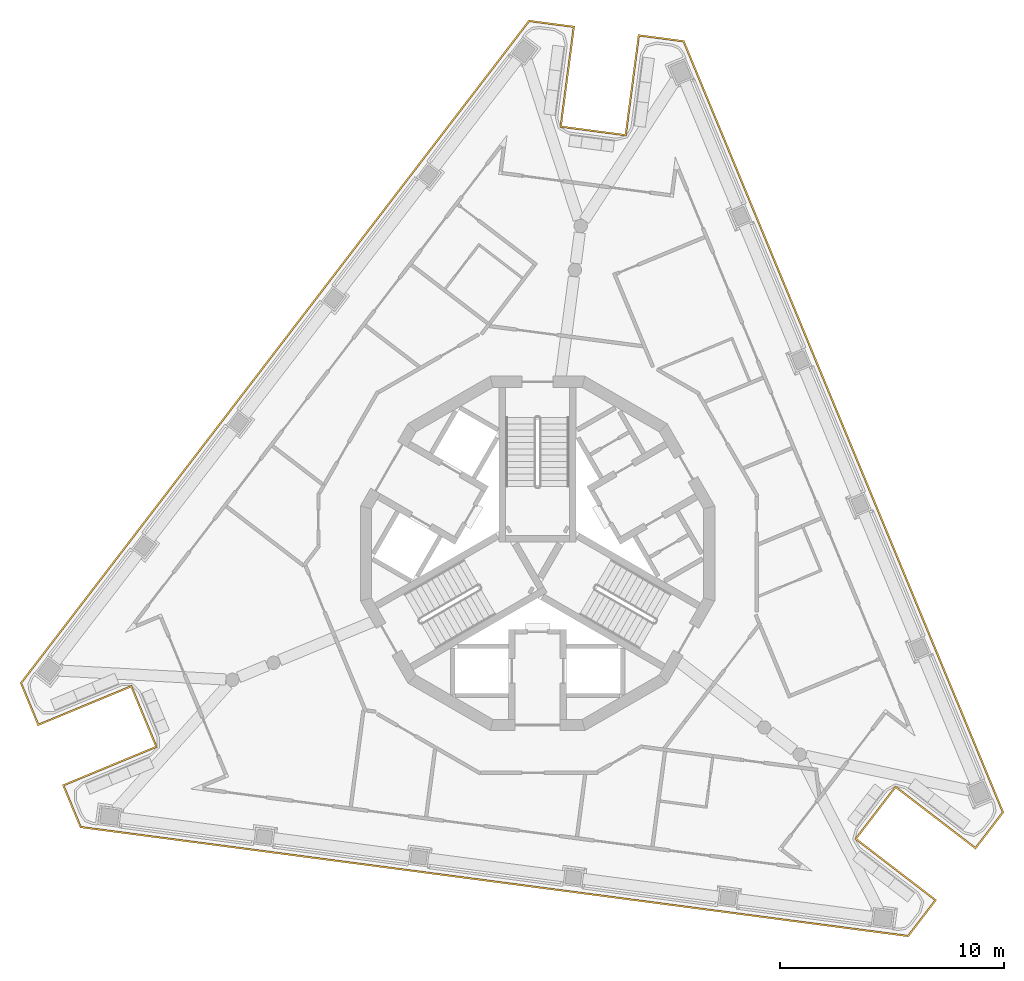
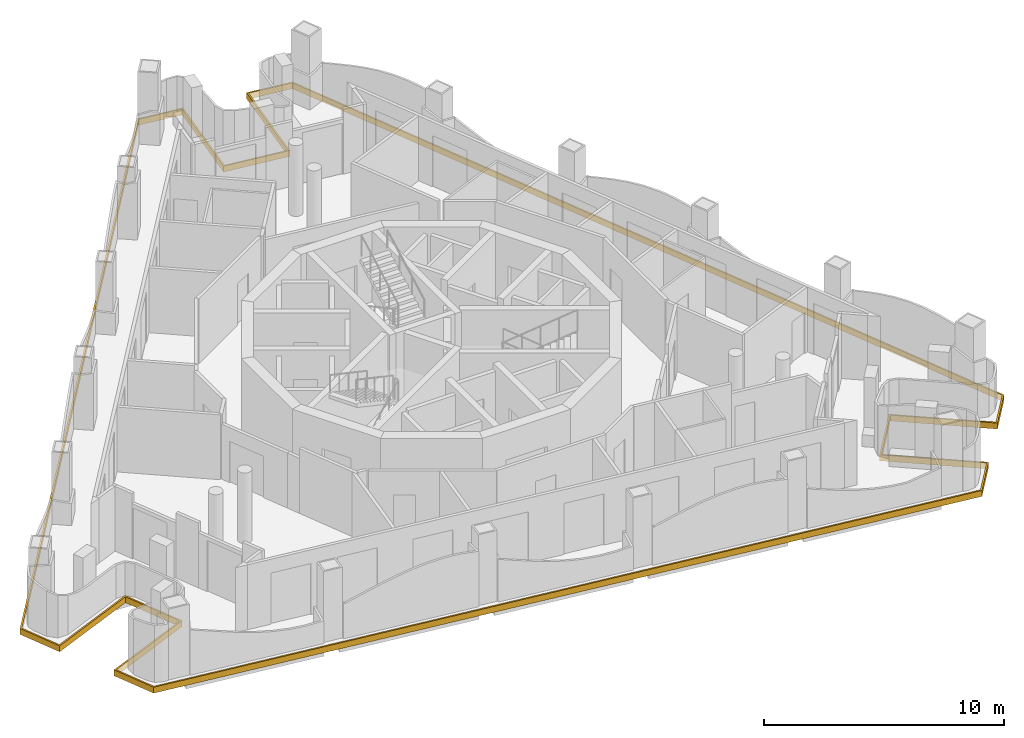
# One storey, part 10 of 13: 1 covering.
"""IFC4 building model written with IfcOpenShell, lengths in metres."""

from ifc_helpers import new_model, si_unit, direction, frame, origin, place, context, subcontext, project, spatial, polyline, outline, extrude, material, layer, layer_set, type_object, element, save


model = new_model("IFC4")

# Units and contexts
model_context = context("Model", 3, precision=1e-05, world=origin(), true_north=direction((0.0, 1.0)))
body_context = subcontext(model_context, "Body", "Model", "MODEL_VIEW")
ifc_project = project(units=[si_unit("LENGTHUNIT", "METRE"), si_unit("AREAUNIT", "SQUARE_METRE"), si_unit("VOLUMEUNIT", "CUBIC_METRE"), si_unit("PLANEANGLEUNIT", "RADIAN"), si_unit("MASSUNIT", "GRAM", prefix="KILO")], contexts=[model_context])

# Site, building, storey
site_placement = place(None, origin())
site = spatial("IfcSite", under=ifc_project, at=site_placement, CompositionType="ELEMENT")
building_placement = place(site_placement, origin())
building = spatial("IfcBuilding", under=site, at=building_placement, Name="Trine Commons Tower", CompositionType="ELEMENT")
storey_placement = place(building_placement, frame((0.0, 0.0, 286.199951171875)))
storey = spatial("IfcBuildingStorey", under=building, at=storey_placement, Name="L75", CompositionType="ELEMENT", Elevation=286.199951171875)

# Covering
ifc_material = material(Name="Limestone, honed", Category="masonry")
ifc_layer = layer(ifc_material, 0.074951171875)
ifc_layer_set = layer_set([ifc_layer], Name="Limestone, honed")
covering_type = type_object("IfcCoveringType", Name="Limestone spandrel panel 75", PredefinedType="CLADDING", material=ifc_layer_set)
covering_placement = place(storey_placement, frame((0.0, 0.0, -0.300048828125)))
element("IfcCovering", 1, at=covering_placement, inside=storey, type_object=covering_type, Name="Limestone spandrel panel 8-01", PredefinedType="CLADDING", context=body_context, shape_type="SweptSolid", body=[
    extrude(outline(polyline([(96.011962890625, 52.009765625), (99.58203125, 49.2705078125), (100.849609375, 50.92236328125), (86.556396484375, 85.429443359375), (84.49169921875, 85.701416015625), (83.904296875, 81.23974609375), (81.078857421875, 81.61181640625), (81.666259765625, 86.0732421875), (79.6015625, 86.34521484375), (56.8642578125, 56.713134765625), (57.6611328125, 54.789306640625), (61.818603515625, 56.511474609375), (62.9091796875, 53.87841796875), (58.751708984375, 52.15625), (59.548583984375, 50.232421875), (96.579345703125, 45.357177734375), (97.846923828125, 47.00927734375), (94.277099609375, 49.748779296875), (96.011962890625, 52.009765625)]), holes=[polyline([(84.556396484375, 85.6171875), (86.503662109375, 85.36083984375), (100.763916015625, 50.933837890625), (99.568115234375, 49.37548828125), (95.998046875, 52.114990234375), (94.171875, 49.73486328125), (97.741943359375, 46.99560546875), (96.546142578125, 45.437255859375), (59.601318359375, 50.301025390625), (58.849853515625, 52.11572265625), (63.007080078125, 53.837890625), (61.859130859375, 56.609375), (57.70166015625, 54.88720703125), (56.9501953125, 56.701904296875), (79.634765625, 86.26513671875), (81.58203125, 86.0087890625), (80.99462890625, 81.54736328125), (83.968994140625, 81.15576171875), (84.556396484375, 85.6171875)])]), origin(), (0.0, 0.0, 1.0), 0.300048828125),
])

save(model, "model.ifc")
